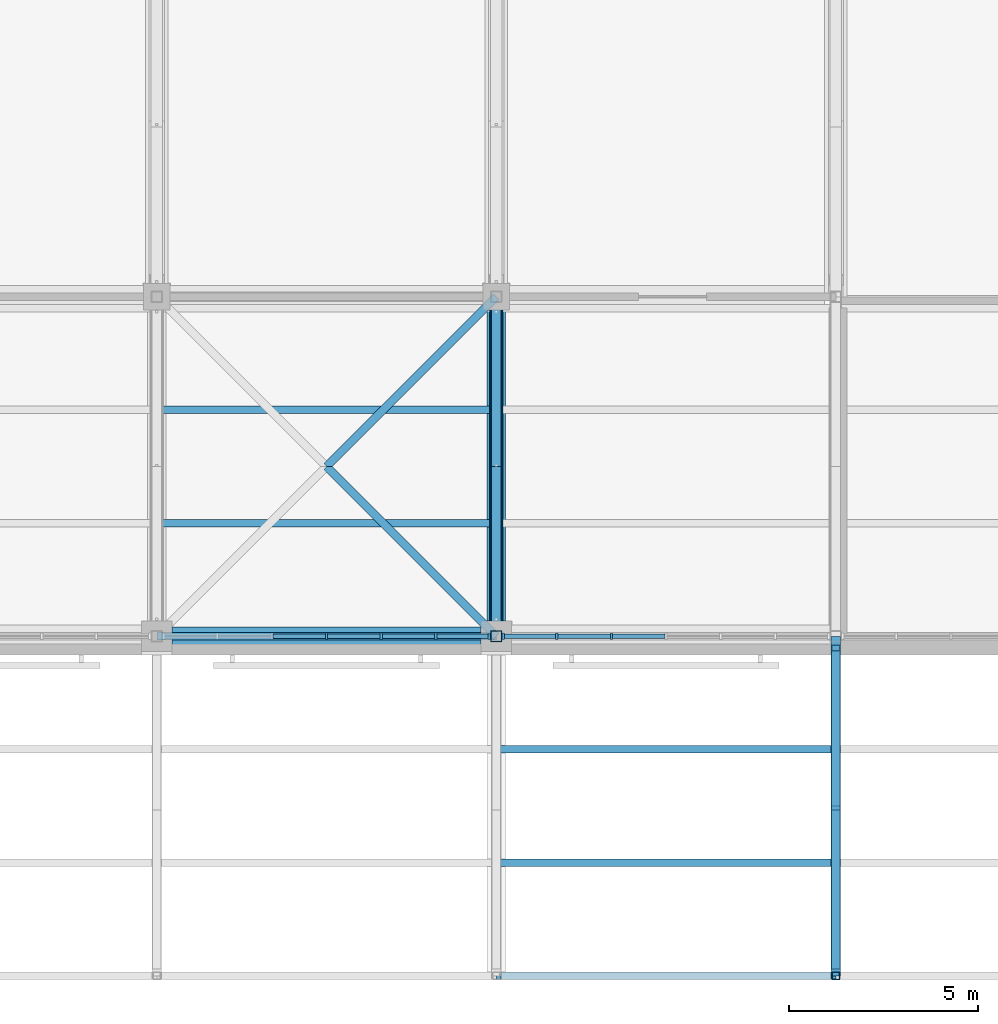
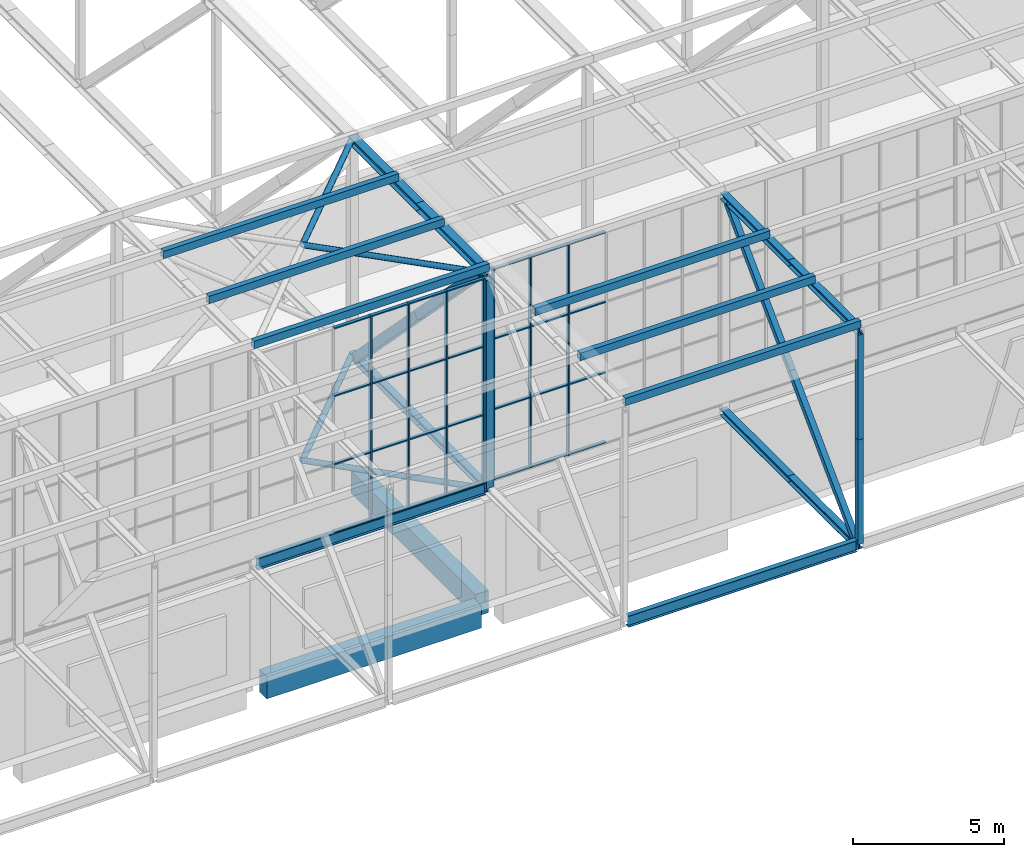
# One storey, part 34 of 646: 61 members, 4 beams, 2 elements without a shape of their own.
"""IFC4 building model written with IfcOpenShell, lengths in metres."""

from ifc_helpers import new_model, si_unit, direction, frame, origin, origin_2d, place, context, subcontext, project, spatial, rectangle, hollow_rectangle, hollow_circle, i_section, extrude, material, material_profile, profile_set, type_object, element, aggregate, save


model = new_model("IFC4")

# Units and contexts
model_context = context("Model", 3, precision=1e-05, world=origin(), true_north=direction((0.0, 1.0)))
body_context = subcontext(model_context, "Body", "Model", "MODEL_VIEW")
ifc_project = project(units=[si_unit("LENGTHUNIT", "METRE"), si_unit("AREAUNIT", "SQUARE_METRE"), si_unit("VOLUMEUNIT", "CUBIC_METRE"), si_unit("PLANEANGLEUNIT", "RADIAN"), si_unit("MASSUNIT", "GRAM", prefix="KILO")], contexts=[model_context])

# Site, building, storey
site_placement = place(None, origin())
site = spatial("IfcSite", under=ifc_project, at=site_placement, CompositionType="ELEMENT")
building_placement = place(site_placement, origin())
building = spatial("IfcBuilding", under=site, at=building_placement, Name="Silverbay Arena", CompositionType="ELEMENT")
storey_placement = place(building_placement, frame((0.0, 0.0, 33.5)))
storey = spatial("IfcBuildingStorey", under=building, at=storey_placement, Name="L05", CompositionType="ELEMENT", Elevation=33.5)

# Members
ifc_material_1 = material(Name="Steel S355", Category="steel")
ifc_material_profile_1 = material_profile(ifc_material_1, i_section(OverallWidth=0.2587890625, OverallDepth=0.2666015625, WebThickness=0.0126953125, FlangeThickness=0.0205078125, at=origin_2d()), Name="UC 254x254x107")
ifc_profile_set_1 = profile_set([ifc_material_profile_1], Name="Steel S355")
member_type_1 = type_object("IfcMemberType", Name="Main-span bottom chord UC 254x254x107", PredefinedType="CHORD", material=ifc_profile_set_1)
for number, where, z_axis, x_axis, name in (
    (1, (135.0, 18.0, 4.13330078125), (0.0, 1.0, 0.0), (-1.0, 0.0, 0.0), "ROOF TRUSS 16 bottom chord 02a"),
    (2, (135.0, 22.5, 4.13330078125), (0.0, 1.0, 0.0), (-1.0, 0.0, 0.0), "ROOF TRUSS 16 bottom chord 02b"),
    (3, (144.0, 9.0, 4.13330078125), (0.0, 1.0, 0.0), (-1.0, 0.0, 0.0), "ROOF TRUSS 17 bottom chord 01a"),
    (4, (144.0, 13.5, 4.13330078125), (0.0, 1.0, 0.0), (-1.0, 0.0, 0.0), "ROOF TRUSS 17 bottom chord 01b"),
):
    element("IfcMember", number, at=place(storey_placement, frame(where, z_axis=z_axis, x_axis=x_axis)), inside=storey, type_object=member_type_1, Name=name, PredefinedType="CHORD", context=body_context, shape_type="SweptSolid", body=[
        extrude(i_section(OverallWidth=0.2587890625, OverallDepth=0.2666015625, WebThickness=0.0126953125, FlangeThickness=0.0205078125, at=origin_2d()), origin(), (0.0, 0.0, 1.0), 4.5),
    ])
ifc_material_2 = material(Name="Steel S355", Category="steel")
ifc_material_profile_2 = material_profile(ifc_material_2, i_section(OverallWidth=0.2587890625, OverallDepth=0.2666015625, WebThickness=0.0126953125, FlangeThickness=0.0205078125, at=origin_2d()), Name="UC 254x254x107")
ifc_profile_set_2 = profile_set([ifc_material_profile_2], Name="Steel S355")
member_type_2 = type_object("IfcMemberType", Name="Main-span top chord UC 254x254x107", PredefinedType="CHORD", material=ifc_profile_set_2)
for number, where, z_axis, x_axis, name in (
    (5, (144.0, 9.0, 12.86669921875), (0.0, 1.0, 0.0), (-1.0, 0.0, 0.0), "ROOF TRUSS 17 top chord 01a"),
    (6, (144.0, 13.5, 12.86669921875), (0.0, 1.0, 0.0), (-1.0, 0.0, 0.0), "ROOF TRUSS 17 top chord 01b"),
):
    element("IfcMember", number, at=place(storey_placement, frame(where, z_axis=z_axis, x_axis=x_axis)), inside=storey, type_object=member_type_2, Name=name, PredefinedType="CHORD", context=body_context, shape_type="SweptSolid", body=[
        extrude(i_section(OverallWidth=0.2587890625, OverallDepth=0.2666015625, WebThickness=0.0126953125, FlangeThickness=0.0205078125, at=origin_2d()), origin(), (0.0, 0.0, 1.0), 4.5),
    ])
ifc_material_3 = material(Name="Steel S355", Category="steel")
ifc_material_profile_3 = material_profile(ifc_material_3, i_section(OverallWidth=0.307373046875, OverallDepth=0.314453125, WebThickness=0.011962890625, FlangeThickness=0.018798828125, at=origin_2d()), Name="UC 305x305x118")
ifc_profile_set_3 = profile_set([ifc_material_profile_3], Name="Steel S355")
member_type_3 = type_object("IfcMemberType", Name="Main-span top chord UC 305x305x118", PredefinedType="CHORD", material=ifc_profile_set_3)
for number, where, z_axis, x_axis, name in (
    (7, (135.0, 18.0, 12.8427734375), (0.0, 1.0, 0.0), (-1.0, 0.0, 0.0), "ROOF TRUSS 16 top chord 02a"),
    (8, (135.0, 22.5, 12.8427734375), (0.0, 1.0, 0.0), (-1.0, 0.0, 0.0), "ROOF TRUSS 16 top chord 02b"),
):
    element("IfcMember", number, at=place(storey_placement, frame(where, z_axis=z_axis, x_axis=x_axis)), inside=storey, type_object=member_type_3, Name=name, PredefinedType="CHORD", context=body_context, shape_type="SweptSolid", body=[
        extrude(i_section(OverallWidth=0.307373046875, OverallDepth=0.314453125, WebThickness=0.011962890625, FlangeThickness=0.018798828125, at=origin_2d()), origin(), (0.0, 0.0, 1.0), 4.5),
    ])
ifc_material_4 = material(Name="Steel S355", Category="steel")
ifc_material_profile_4 = material_profile(ifc_material_4, hollow_rectangle(XDim=0.219970703125, YDim=0.219970703125, WallThickness=0.008056640625, at=origin_2d()), Name="SHS 220x220x8")
ifc_profile_set_4 = profile_set([ifc_material_profile_4], Name="Steel S355")
member_type_4 = type_object("IfcMemberType", Name="Main-span truss diagonal SHS 220x220x8", PredefinedType="BRACE", material=ifc_profile_set_4)
member_1_placement = place(storey_placement, frame((144.0, 17.689453125, 12.7333984375), z_axis=(0.0, -0.70551102507, -0.708698944196), x_axis=(1.0, 0.0, 0.0)))
element("IfcMember", 9, at=member_1_placement, inside=storey, type_object=member_type_4, Name="ROOF TRUSS 17 diagonal 01a", PredefinedType="BRACE", context=body_context, shape_type="SweptSolid", body=[
    extrude(hollow_rectangle(XDim=0.219970703125, YDim=0.219970703125, WallThickness=0.008056640625, at=origin_2d()), origin(), (0.0, 0.0, 1.0), 5.973388671875),
])
member_2_placement = place(storey_placement, frame((144.0, 13.47509765625, 8.5), z_axis=(0.0, -0.705531551692, -0.708678509317), x_axis=(1.0, 0.0, 0.0)))
element("IfcMember", 10, at=member_2_placement, inside=storey, type_object=member_type_4, Name="ROOF TRUSS 17 diagonal 01b", PredefinedType="BRACE", context=body_context, shape_type="SweptSolid", body=[
    extrude(hollow_rectangle(XDim=0.219970703125, YDim=0.219970703125, WallThickness=0.008056640625, at=origin_2d()), origin(), (0.0, 0.0, 1.0), 5.9736328125),
])
ifc_material_5 = material(Name="Steel S355", Category="steel")
ifc_material_profile_5 = material_profile(ifc_material_5, hollow_rectangle(XDim=0.35009765625, YDim=0.35009765625, WallThickness=0.01611328125, at=origin_2d()), Name="SHS 350x350x16")
ifc_profile_set_5 = profile_set([ifc_material_profile_5], Name="Steel S355")
member_type_5 = type_object("IfcMemberType", Name="Main-span truss diagonal SHS 350x350x16", PredefinedType="BRACE", material=ifc_profile_set_5)
for number, where, z_axis, x_axis, name in (
    (11, (135.0, 18.40625, 12.685546875), (0.0, 0.697184071327, -0.716892161129), (-1.0, 0.0, 0.0), "ROOF TRUSS 16 diagonal 02a"),
    (12, (135.0, 22.5, 8.47607421875), (0.0, 0.697184071327, -0.716892161129), (-1.0, 0.0, 0.0), "ROOF TRUSS 16 diagonal 02b"),
):
    element("IfcMember", number, at=place(storey_placement, frame(where, z_axis=z_axis, x_axis=x_axis)), inside=storey, type_object=member_type_5, Name=name, PredefinedType="BRACE", context=body_context, shape_type="SweptSolid", body=[
        extrude(hollow_rectangle(XDim=0.35009765625, YDim=0.35009765625, WallThickness=0.01611328125, at=origin_2d()), origin(), (0.0, 0.0, 1.0), 5.871826171875),
    ])
ifc_material_6 = material(Name="Steel S355", Category="steel")
ifc_material_profile_6 = material_profile(ifc_material_6, hollow_rectangle(XDim=0.199951171875, YDim=0.199951171875, WallThickness=0.008056640625, at=origin_2d()), Name="SHS 200x200x8")
ifc_profile_set_6 = profile_set([ifc_material_profile_6], Name="Steel S355")
member_type_6 = type_object("IfcMemberType", Name="Main-span truss vertical SHS 200x200x8", PredefinedType="STRUT", material=ifc_profile_set_6)
for number, where, z_axis, x_axis, name in (
    (13, (144.0, 9.0, 4.2666015625), (0.0, 0.0, 1.0), (1.0, 0.0, 0.0), "ROOF TRUSS 17 vertical 01a"),
    (14, (144.0, 9.0, 8.5), (0.0, 0.0, 1.0), (1.0, 0.0, 0.0), "ROOF TRUSS 17 vertical 01b"),
):
    element("IfcMember", number, at=place(storey_placement, frame(where, z_axis=z_axis, x_axis=x_axis)), inside=storey, type_object=member_type_6, Name=name, PredefinedType="STRUT", context=body_context, shape_type="SweptSolid", body=[
        extrude(hollow_rectangle(XDim=0.199951171875, YDim=0.199951171875, WallThickness=0.008056640625, at=origin_2d()), origin(), (0.0, 0.0, 1.0), 4.2333984375),
    ])
ifc_material_7 = material(Name="Steel S355", Category="steel")
ifc_material_profile_7 = material_profile(ifc_material_7, hollow_rectangle(XDim=0.300048828125, YDim=0.300048828125, WallThickness=0.012451171875, at=origin_2d()), Name="SHS 300x300x12.5")
ifc_profile_set_7 = profile_set([ifc_material_profile_7], Name="Steel S355")
member_type_7 = type_object("IfcMemberType", Name="Main-span truss vertical SHS 300x300x12.5", PredefinedType="STRUT", material=ifc_profile_set_7)
for number, where, z_axis, x_axis, name in (
    (15, (135.0, 18.0, 4.2666015625), (0.0, 0.0, 1.0), (1.0, 0.0, 0.0), "ROOF TRUSS 16 vertical 02a"),
    (16, (135.0, 18.0, 8.47607421875), (0.0, 0.0, 1.0), (1.0, 0.0, 0.0), "ROOF TRUSS 16 vertical 02b"),
):
    element("IfcMember", number, at=place(storey_placement, frame(where, z_axis=z_axis, x_axis=x_axis)), inside=storey, type_object=member_type_7, Name=name, PredefinedType="STRUT", context=body_context, shape_type="SweptSolid", body=[
        extrude(hollow_rectangle(XDim=0.300048828125, YDim=0.300048828125, WallThickness=0.012451171875, at=origin_2d()), origin(), (0.0, 0.0, 1.0), 4.20947265625),
    ])

# Curtain wall, members
ifc_material_8 = material(Name="Aluminium framed glazing", Category="aluminium")
curtain_wall_type_1 = type_object("IfcCurtainWallType", Name="Curtain wall clerestory 8693 x 8273", PredefinedType="NOTDEFINED", material=ifc_material_8)
curtain_wall_1_placement = place(storey_placement, origin())
curtain_wall_1 = element("IfcCurtainWall", 17, at=curtain_wall_1_placement, inside=storey, type_object=curtain_wall_type_1, Name="ROOF CLERESTORY CURTAIN WALL south bay 09", PredefinedType="NOTDEFINED")
ifc_material_9 = material(Name="Aluminium", Category="aluminium")
ifc_material_profile_8 = material_profile(ifc_material_9, rectangle(XDim=0.159912109375, YDim=0.06005859375, at=origin_2d()), Name="Mullion 60 x 160")
ifc_profile_set_8 = profile_set([ifc_material_profile_8], Name="Aluminium")
member_type_8 = type_object("IfcMemberType", Name="Mullion 60 x 160", PredefinedType="MULLION", material=ifc_profile_set_8)
member_3_placement = place(storey_placement, frame((130.5, 18.0, 4.4599609375), z_axis=(0.0, 0.0, 1.0), x_axis=(0.0, 1.0, 0.0)))
member_3 = element("IfcMember", 18, at=member_3_placement, type_object=member_type_8, Name="CW56 mullion 4", PredefinedType="MULLION", context=body_context, shape_type="SweptSolid", body=[
    extrude(rectangle(XDim=0.159912109375, YDim=0.06005859375, at=origin_2d()), origin(), (0.0, 0.0, 1.0), 8.273193359375),
])
member_4_placement = place(storey_placement, frame((131.94873046875, 18.0, 4.4599609375), z_axis=(0.0, 0.0, 1.0), x_axis=(0.0, 1.0, 0.0)))
member_4 = element("IfcMember", 19, at=member_4_placement, type_object=member_type_8, Name="CW56 mullion 5", PredefinedType="MULLION", context=body_context, shape_type="SweptSolid", body=[
    extrude(rectangle(XDim=0.159912109375, YDim=0.06005859375, at=origin_2d()), origin(), (0.0, 0.0, 1.0), 8.273193359375),
])
member_5_placement = place(storey_placement, frame((133.3974609375, 18.0, 4.4599609375), z_axis=(0.0, 0.0, 1.0), x_axis=(0.0, 1.0, 0.0)))
member_5 = element("IfcMember", 20, at=member_5_placement, type_object=member_type_8, Name="CW56 mullion 6", PredefinedType="MULLION", context=body_context, shape_type="SweptSolid", body=[
    extrude(rectangle(XDim=0.159912109375, YDim=0.06005859375, at=origin_2d()), origin(), (0.0, 0.0, 1.0), 8.273193359375),
])
member_6_placement = place(storey_placement, frame((134.81640625, 18.0, 4.4599609375), z_axis=(0.0, 0.0, 1.0), x_axis=(0.0, 1.0, 0.0)))
member_6 = element("IfcMember", 21, at=member_6_placement, type_object=member_type_8, Name="CW56 mullion 7", PredefinedType="MULLION", context=body_context, shape_type="SweptSolid", body=[
    extrude(rectangle(XDim=0.159912109375, YDim=0.06005859375, at=origin_2d()), origin(), (0.0, 0.0, 1.0), 8.273193359375),
])

ifc_material_10 = material(Name="Aluminium framed glazing", Category="aluminium")
curtain_wall_type_2 = type_object("IfcCurtainWallType", Name="Curtain wall clerestory 8693 x 8540", PredefinedType="NOTDEFINED", material=ifc_material_10)
curtain_wall_2_placement = place(storey_placement, origin())
curtain_wall_2 = element("IfcCurtainWall", 22, at=curtain_wall_2_placement, inside=storey, type_object=curtain_wall_type_2, Name="ROOF CLERESTORY CURTAIN WALL south bay 10", PredefinedType="NOTDEFINED")
member_7_placement = place(storey_placement, frame((135.18359375, 18.0, 4.4599609375), z_axis=(0.0, 0.0, 1.0), x_axis=(0.0, 1.0, 0.0)))
member_7 = element("IfcMember", 23, at=member_7_placement, type_object=member_type_8, Name="CW55 mullion 1", PredefinedType="MULLION", context=body_context, shape_type="SweptSolid", body=[
    extrude(rectangle(XDim=0.159912109375, YDim=0.06005859375, at=origin_2d()), origin(), (0.0, 0.0, 1.0), 8.5400390625),
])
member_8_placement = place(storey_placement, frame((136.6025390625, 18.0, 4.4599609375), z_axis=(0.0, 0.0, 1.0), x_axis=(0.0, 1.0, 0.0)))
member_8 = element("IfcMember", 24, at=member_8_placement, type_object=member_type_8, Name="CW55 mullion 2", PredefinedType="MULLION", context=body_context, shape_type="SweptSolid", body=[
    extrude(rectangle(XDim=0.159912109375, YDim=0.06005859375, at=origin_2d()), origin(), (0.0, 0.0, 1.0), 8.5400390625),
])
member_9_placement = place(storey_placement, frame((138.05126953125, 18.0, 4.4599609375), z_axis=(0.0, 0.0, 1.0), x_axis=(0.0, 1.0, 0.0)))
member_9 = element("IfcMember", 25, at=member_9_placement, type_object=member_type_8, Name="CW55 mullion 3", PredefinedType="MULLION", context=body_context, shape_type="SweptSolid", body=[
    extrude(rectangle(XDim=0.159912109375, YDim=0.06005859375, at=origin_2d()), origin(), (0.0, 0.0, 1.0), 8.5400390625),
])

# Members
ifc_material_11 = material(Name="Steel S355", Category="steel")
ifc_material_profile_9 = material_profile(ifc_material_11, hollow_circle(Radius=0.109619140625, WallThickness=0.00634765625, at=origin_2d()), Name="CHS 219.1x6.3")
ifc_profile_set_9 = profile_set([ifc_material_profile_9], Name="Steel S355")
member_type_9 = type_object("IfcMemberType", Name="Plan bracing CHS 219.1x6.3", PredefinedType="BRACE", material=ifc_profile_set_9)
for number, where, z_axis, x_axis, name in (
    (26, (130.5, 22.5, 12.8427734375), (0.707106781187, 0.707106781187, 0.0), (-0.707106781187, 0.707106781187, 0.0), "ROOF BRACING top 15-16 panel 02 Ab"),
    (27, (130.5, 22.5, 12.8427734375), (0.707106781187, -0.707106781187, 0.0), (0.707106781187, 0.707106781187, 0.0), "ROOF BRACING top 15-16 panel 02 Bb"),
    (28, (130.5, 22.5, 4.13330078125), (0.707106781187, 0.707106781187, 0.0), (-0.707106781187, 0.707106781187, 0.0), "ROOF BRACING bottom 15-16 panel 02 Ab"),
    (29, (130.5, 22.5, 4.13330078125), (0.707106781187, -0.707106781187, 0.0), (0.707106781187, 0.707106781187, 0.0), "ROOF BRACING bottom 15-16 panel 02 Bb"),
):
    element("IfcMember", number, at=place(storey_placement, frame(where, z_axis=z_axis, x_axis=x_axis)), inside=storey, type_object=member_type_9, Name=name, PredefinedType="BRACE", context=body_context, shape_type="SweptSolid", body=[
        extrude(hollow_circle(Radius=0.109619140625, WallThickness=0.00634765625, at=origin_2d()), origin(), (0.0, 0.0, 1.0), 6.364013671875),
    ])
ifc_material_12 = material(Name="Steel S355", Category="steel")
ifc_material_profile_10 = material_profile(ifc_material_12, hollow_rectangle(XDim=0.199951171875, YDim=0.300048828125, WallThickness=0.00634765625, at=origin_2d()), Name="RHS 300x200x6.3")
ifc_profile_set_10 = profile_set([ifc_material_profile_10], Name="Steel S355")
member_type_10 = type_object("IfcMemberType", Name="Purlin RHS 300x200x6.3", PredefinedType="PURLIN", material=ifc_profile_set_10)
member_10_placement = place(storey_placement, frame((126.0, 24.0, 13.14990234375), z_axis=(1.0, 0.0, 0.0), x_axis=(0.0, 1.0, 0.0)))
element("IfcMember", 30, at=member_10_placement, inside=storey, type_object=member_type_10, Name="ROOF PURLIN 15-16 line 06", PredefinedType="PURLIN", context=body_context, shape_type="SweptSolid", body=[
    extrude(hollow_rectangle(XDim=0.199951171875, YDim=0.300048828125, WallThickness=0.00634765625, at=origin_2d()), origin(), (0.0, 0.0, 1.0), 9.0),
])
ifc_material_13 = material(Name="Steel S355", Category="steel")
ifc_material_profile_11 = material_profile(ifc_material_13, hollow_rectangle(XDim=0.199951171875, YDim=0.300048828125, WallThickness=0.008056640625, at=origin_2d()), Name="RHS 300x200x8")
ifc_profile_set_11 = profile_set([ifc_material_profile_11], Name="Steel S355")
member_type_11 = type_object("IfcMemberType", Name="Purlin RHS 300x200x8", PredefinedType="PURLIN", material=ifc_profile_set_11)
for number, where, z_axis, x_axis, name in (
    (31, (126.0, 18.0, 13.14990234375), (1.0, 0.0, 0.0), (0.0, 1.0, 0.0), "ROOF PURLIN 15-16 line 04"),
    (32, (126.0, 21.0, 13.14990234375), (1.0, 0.0, 0.0), (0.0, 1.0, 0.0), "ROOF PURLIN 15-16 line 05"),
    (33, (135.0, 9.0, 13.14990234375), (1.0, 0.0, 0.0), (0.0, 1.0, 0.0), "ROOF PURLIN 16-17 line 01"),
    (34, (135.0, 12.0, 13.14990234375), (1.0, 0.0, 0.0), (0.0, 1.0, 0.0), "ROOF PURLIN 16-17 line 02"),
    (35, (135.0, 15.0, 13.14990234375), (1.0, 0.0, 0.0), (0.0, 1.0, 0.0), "ROOF PURLIN 16-17 line 03"),
):
    element("IfcMember", number, at=place(storey_placement, frame(where, z_axis=z_axis, x_axis=x_axis)), inside=storey, type_object=member_type_11, Name=name, PredefinedType="PURLIN", context=body_context, shape_type="SweptSolid", body=[
        extrude(hollow_rectangle(XDim=0.199951171875, YDim=0.300048828125, WallThickness=0.008056640625, at=origin_2d()), origin(), (0.0, 0.0, 1.0), 9.0),
    ])

# Beams
ifc_material_14 = material(Name="Concrete Grade C45", Category="concrete")
ifc_material_profile_12 = material_profile(ifc_material_14, rectangle(XDim=0.5, YDim=0.89990234375, at=origin_2d()), Name="RC 500x900")
ifc_profile_set_12 = profile_set([ifc_material_profile_12], Name="Concrete Grade C45")
beam_type_1 = type_object("IfcBeamType", Name="RC beam 500x900", PredefinedType="BEAM", material=ifc_profile_set_12)
beam_1_placement = place(storey_placement, frame((126.39990234375, 18.0, -0.75), z_axis=(1.0, 0.0, 0.0), x_axis=(0.0, 1.0, 0.0)))
element("IfcBeam", 36, at=beam_1_placement, inside=storey, type_object=beam_type_1, Name="Floor beam L05 003", PredefinedType="BEAM", context=body_context, shape_type="SweptSolid", body=[
    extrude(rectangle(XDim=0.5, YDim=0.89990234375, at=origin_2d()), origin(), (0.0, 0.0, 1.0), 8.2001953125),
])
beam_2_placement = place(storey_placement, frame((135.0, 18.39990234375, -0.75), z_axis=(0.0, 1.0, 0.0), x_axis=(-1.0, 0.0, 0.0)))
element("IfcBeam", 37, at=beam_2_placement, inside=storey, type_object=beam_type_1, Name="Floor beam L05 113", PredefinedType="BEAM", context=body_context, shape_type="SweptSolid", body=[
    extrude(rectangle(XDim=0.5, YDim=0.89990234375, at=origin_2d()), origin(), (0.0, 0.0, 1.0), 8.25),
])
ifc_material_15 = material(Name="Steel S355", Category="steel")
ifc_material_profile_13 = material_profile(ifc_material_15, i_section(OverallWidth=0.18994140625, OverallDepth=0.453369140625, WebThickness=0.008544921875, FlangeThickness=0.0126953125, at=origin_2d()), Name="UB 457x191x67")
ifc_profile_set_13 = profile_set([ifc_material_profile_13], Name="Steel S355")
beam_type_2 = type_object("IfcBeamType", Name="Ring beam UB 457x191x67", PredefinedType="BEAM", material=ifc_profile_set_13)
beam_3_placement = place(storey_placement, frame((135.12939453125, 9.0, 4.226806640625), z_axis=(1.0, 0.0, 0.0), x_axis=(0.0, 1.0, 0.0)))
element("IfcBeam", 38, at=beam_3_placement, inside=storey, type_object=beam_type_2, Name="RING BEAM south edge 16-17", PredefinedType="BEAM", context=body_context, shape_type="SweptSolid", body=[
    extrude(i_section(OverallWidth=0.18994140625, OverallDepth=0.453369140625, WebThickness=0.008544921875, FlangeThickness=0.0126953125, at=origin_2d()), origin(), (0.0, 0.0, 1.0), 8.7412109375),
])
ifc_material_16 = material(Name="Steel S355", Category="steel")
ifc_material_profile_14 = material_profile(ifc_material_16, i_section(OverallWidth=0.19140625, OverallDepth=0.4599609375, WebThickness=0.010009765625, FlangeThickness=0.01611328125, at=origin_2d()), Name="UB 457x191x82")
ifc_profile_set_14 = profile_set([ifc_material_profile_14], Name="Steel S355")
beam_type_3 = type_object("IfcBeamType", Name="Ring beam UB 457x191x82", PredefinedType="BEAM", material=ifc_profile_set_14)
beam_4_placement = place(storey_placement, frame((126.12939453125, 18.0, 4.22998046875), z_axis=(1.0, 0.0, 0.0), x_axis=(0.0, 1.0, 0.0)))
element("IfcBeam", 39, at=beam_4_placement, inside=storey, type_object=beam_type_3, Name="RING BEAM south facade 15-16", PredefinedType="BEAM", context=body_context, shape_type="SweptSolid", body=[
    extrude(i_section(OverallWidth=0.19140625, OverallDepth=0.4599609375, WebThickness=0.010009765625, FlangeThickness=0.01611328125, at=origin_2d()), origin(), (0.0, 0.0, 1.0), 8.7412109375),
])

# Member
ifc_material_17 = material(Name="Aluminium", Category="aluminium")
ifc_material_profile_15 = material_profile(ifc_material_17, rectangle(XDim=0.1201171875, YDim=0.050048828125, at=origin_2d()), Name="Transom 50 x 120")
ifc_profile_set_15 = profile_set([ifc_material_profile_15], Name="Aluminium")
member_type_12 = type_object("IfcMemberType", Name="Transom 50 x 120", PredefinedType="USERDEFINED", material=ifc_profile_set_15)
member_11_placement = place(storey_placement, frame((129.081298828125, 18.0, 4.485107421875), z_axis=(1.0, 0.0, 0.0), x_axis=(0.0, 1.0, 0.0)))
member_11 = element("IfcMember", 40, at=member_11_placement, type_object=member_type_12, Name="CW56 transom 3.1", ObjectType="TRANSOM", PredefinedType="USERDEFINED", context=body_context, shape_type="SweptSolid", body=[
    extrude(rectangle(XDim=0.1201171875, YDim=0.050048828125, at=origin_2d()), origin(), (0.0, 0.0, 1.0), 1.388671875),
])

member_12_placement = place(storey_placement, frame((129.081298828125, 18.0, 7.2177734375), z_axis=(1.0, 0.0, 0.0), x_axis=(0.0, 1.0, 0.0)))
member_12 = element("IfcMember", 41, at=member_12_placement, type_object=member_type_12, Name="CW56 transom 3.2", ObjectType="TRANSOM", PredefinedType="USERDEFINED", context=body_context, shape_type="SweptSolid", body=[
    extrude(rectangle(XDim=0.1201171875, YDim=0.050048828125, at=origin_2d()), origin(), (0.0, 0.0, 1.0), 1.388671875),
])

member_13_placement = place(storey_placement, frame((129.081298828125, 18.0, 9.9755859375), z_axis=(1.0, 0.0, 0.0), x_axis=(0.0, 1.0, 0.0)))
member_13 = element("IfcMember", 42, at=member_13_placement, type_object=member_type_12, Name="CW56 transom 3.3", ObjectType="TRANSOM", PredefinedType="USERDEFINED", context=body_context, shape_type="SweptSolid", body=[
    extrude(rectangle(XDim=0.1201171875, YDim=0.050048828125, at=origin_2d()), origin(), (0.0, 0.0, 1.0), 1.388671875),
])

member_14_placement = place(storey_placement, frame((129.081298828125, 18.0, 12.708251953125), z_axis=(1.0, 0.0, 0.0), x_axis=(0.0, 1.0, 0.0)))
member_14 = element("IfcMember", 43, at=member_14_placement, type_object=member_type_12, Name="CW56 transom 3.4", ObjectType="TRANSOM", PredefinedType="USERDEFINED", context=body_context, shape_type="SweptSolid", body=[
    extrude(rectangle(XDim=0.1201171875, YDim=0.050048828125, at=origin_2d()), origin(), (0.0, 0.0, 1.0), 1.388671875),
])

member_15_placement = place(storey_placement, frame((130.530029296875, 18.0, 4.485107421875), z_axis=(1.0, 0.0, 0.0), x_axis=(0.0, 1.0, 0.0)))
member_15 = element("IfcMember", 44, at=member_15_placement, type_object=member_type_12, Name="CW56 transom 4.1", ObjectType="TRANSOM", PredefinedType="USERDEFINED", context=body_context, shape_type="SweptSolid", body=[
    extrude(rectangle(XDim=0.1201171875, YDim=0.050048828125, at=origin_2d()), origin(), (0.0, 0.0, 1.0), 1.388671875),
])

member_16_placement = place(storey_placement, frame((130.530029296875, 18.0, 7.2177734375), z_axis=(1.0, 0.0, 0.0), x_axis=(0.0, 1.0, 0.0)))
member_16 = element("IfcMember", 45, at=member_16_placement, type_object=member_type_12, Name="CW56 transom 4.2", ObjectType="TRANSOM", PredefinedType="USERDEFINED", context=body_context, shape_type="SweptSolid", body=[
    extrude(rectangle(XDim=0.1201171875, YDim=0.050048828125, at=origin_2d()), origin(), (0.0, 0.0, 1.0), 1.388671875),
])

member_17_placement = place(storey_placement, frame((130.530029296875, 18.0, 9.9755859375), z_axis=(1.0, 0.0, 0.0), x_axis=(0.0, 1.0, 0.0)))
member_17 = element("IfcMember", 46, at=member_17_placement, type_object=member_type_12, Name="CW56 transom 4.3", ObjectType="TRANSOM", PredefinedType="USERDEFINED", context=body_context, shape_type="SweptSolid", body=[
    extrude(rectangle(XDim=0.1201171875, YDim=0.050048828125, at=origin_2d()), origin(), (0.0, 0.0, 1.0), 1.388671875),
])

member_18_placement = place(storey_placement, frame((130.530029296875, 18.0, 12.708251953125), z_axis=(1.0, 0.0, 0.0), x_axis=(0.0, 1.0, 0.0)))
member_18 = element("IfcMember", 47, at=member_18_placement, type_object=member_type_12, Name="CW56 transom 4.4", ObjectType="TRANSOM", PredefinedType="USERDEFINED", context=body_context, shape_type="SweptSolid", body=[
    extrude(rectangle(XDim=0.1201171875, YDim=0.050048828125, at=origin_2d()), origin(), (0.0, 0.0, 1.0), 1.388671875),
])

member_19_placement = place(storey_placement, frame((131.978759765625, 18.0, 4.485107421875), z_axis=(1.0, 0.0, 0.0), x_axis=(0.0, 1.0, 0.0)))
member_19 = element("IfcMember", 48, at=member_19_placement, type_object=member_type_12, Name="CW56 transom 5.1", ObjectType="TRANSOM", PredefinedType="USERDEFINED", context=body_context, shape_type="SweptSolid", body=[
    extrude(rectangle(XDim=0.1201171875, YDim=0.050048828125, at=origin_2d()), origin(), (0.0, 0.0, 1.0), 1.388671875),
])

member_20_placement = place(storey_placement, frame((131.978759765625, 18.0, 7.2177734375), z_axis=(1.0, 0.0, 0.0), x_axis=(0.0, 1.0, 0.0)))
member_20 = element("IfcMember", 49, at=member_20_placement, type_object=member_type_12, Name="CW56 transom 5.2", ObjectType="TRANSOM", PredefinedType="USERDEFINED", context=body_context, shape_type="SweptSolid", body=[
    extrude(rectangle(XDim=0.1201171875, YDim=0.050048828125, at=origin_2d()), origin(), (0.0, 0.0, 1.0), 1.388671875),
])

member_21_placement = place(storey_placement, frame((131.978759765625, 18.0, 9.9755859375), z_axis=(1.0, 0.0, 0.0), x_axis=(0.0, 1.0, 0.0)))
member_21 = element("IfcMember", 50, at=member_21_placement, type_object=member_type_12, Name="CW56 transom 5.3", ObjectType="TRANSOM", PredefinedType="USERDEFINED", context=body_context, shape_type="SweptSolid", body=[
    extrude(rectangle(XDim=0.1201171875, YDim=0.050048828125, at=origin_2d()), origin(), (0.0, 0.0, 1.0), 1.388671875),
])

member_22_placement = place(storey_placement, frame((131.978759765625, 18.0, 12.708251953125), z_axis=(1.0, 0.0, 0.0), x_axis=(0.0, 1.0, 0.0)))
member_22 = element("IfcMember", 51, at=member_22_placement, type_object=member_type_12, Name="CW56 transom 5.4", ObjectType="TRANSOM", PredefinedType="USERDEFINED", context=body_context, shape_type="SweptSolid", body=[
    extrude(rectangle(XDim=0.1201171875, YDim=0.050048828125, at=origin_2d()), origin(), (0.0, 0.0, 1.0), 1.388671875),
])

member_23_placement = place(storey_placement, frame((133.427490234375, 18.0, 4.485107421875), z_axis=(1.0, 0.0, 0.0), x_axis=(0.0, 1.0, 0.0)))
member_23 = element("IfcMember", 52, at=member_23_placement, type_object=member_type_12, Name="CW56 transom 6.1", ObjectType="TRANSOM", PredefinedType="USERDEFINED", context=body_context, shape_type="SweptSolid", body=[
    extrude(rectangle(XDim=0.1201171875, YDim=0.050048828125, at=origin_2d()), origin(), (0.0, 0.0, 1.0), 1.35888671875),
])

member_24_placement = place(storey_placement, frame((133.427490234375, 18.0, 7.2177734375), z_axis=(1.0, 0.0, 0.0), x_axis=(0.0, 1.0, 0.0)))
member_24 = element("IfcMember", 53, at=member_24_placement, type_object=member_type_12, Name="CW56 transom 6.2", ObjectType="TRANSOM", PredefinedType="USERDEFINED", context=body_context, shape_type="SweptSolid", body=[
    extrude(rectangle(XDim=0.1201171875, YDim=0.050048828125, at=origin_2d()), origin(), (0.0, 0.0, 1.0), 1.35888671875),
])

member_25_placement = place(storey_placement, frame((133.427490234375, 18.0, 9.9755859375), z_axis=(1.0, 0.0, 0.0), x_axis=(0.0, 1.0, 0.0)))
member_25 = element("IfcMember", 54, at=member_25_placement, type_object=member_type_12, Name="CW56 transom 6.3", ObjectType="TRANSOM", PredefinedType="USERDEFINED", context=body_context, shape_type="SweptSolid", body=[
    extrude(rectangle(XDim=0.1201171875, YDim=0.050048828125, at=origin_2d()), origin(), (0.0, 0.0, 1.0), 1.35888671875),
])

member_26_placement = place(storey_placement, frame((133.427490234375, 18.0, 12.708251953125), z_axis=(1.0, 0.0, 0.0), x_axis=(0.0, 1.0, 0.0)))
member_26 = element("IfcMember", 55, at=member_26_placement, type_object=member_type_12, Name="CW56 transom 6.4", ObjectType="TRANSOM", PredefinedType="USERDEFINED", context=body_context, shape_type="SweptSolid", body=[
    extrude(rectangle(XDim=0.1201171875, YDim=0.050048828125, at=origin_2d()), origin(), (0.0, 0.0, 1.0), 1.35888671875),
])

aggregate(curtain_wall_1, [member_3, member_4, member_5, member_6, member_11, member_12, member_13, member_14, member_15, member_16, member_17, member_18, member_19, member_20, member_21, member_22, member_23, member_24, member_25, member_26])

member_27_placement = place(storey_placement, frame((135.213623046875, 18.0, 4.485107421875), z_axis=(1.0, 0.0, 0.0), x_axis=(0.0, 1.0, 0.0)))
member_27 = element("IfcMember", 56, at=member_27_placement, type_object=member_type_12, Name="CW55 transom 1.1", ObjectType="TRANSOM", PredefinedType="USERDEFINED", context=body_context, shape_type="SweptSolid", body=[
    extrude(rectangle(XDim=0.1201171875, YDim=0.050048828125, at=origin_2d()), origin(), (0.0, 0.0, 1.0), 1.35888671875),
])

member_28_placement = place(storey_placement, frame((135.213623046875, 18.0, 7.306640625), z_axis=(1.0, 0.0, 0.0), x_axis=(0.0, 1.0, 0.0)))
member_28 = element("IfcMember", 57, at=member_28_placement, type_object=member_type_12, Name="CW55 transom 1.2", ObjectType="TRANSOM", PredefinedType="USERDEFINED", context=body_context, shape_type="SweptSolid", body=[
    extrude(rectangle(XDim=0.1201171875, YDim=0.050048828125, at=origin_2d()), origin(), (0.0, 0.0, 1.0), 1.35888671875),
])

member_29_placement = place(storey_placement, frame((135.213623046875, 18.0, 10.1533203125), z_axis=(1.0, 0.0, 0.0), x_axis=(0.0, 1.0, 0.0)))
member_29 = element("IfcMember", 58, at=member_29_placement, type_object=member_type_12, Name="CW55 transom 1.3", ObjectType="TRANSOM", PredefinedType="USERDEFINED", context=body_context, shape_type="SweptSolid", body=[
    extrude(rectangle(XDim=0.1201171875, YDim=0.050048828125, at=origin_2d()), origin(), (0.0, 0.0, 1.0), 1.35888671875),
])

member_30_placement = place(storey_placement, frame((135.213623046875, 18.0, 12.97509765625), z_axis=(1.0, 0.0, 0.0), x_axis=(0.0, 1.0, 0.0)))
member_30 = element("IfcMember", 59, at=member_30_placement, type_object=member_type_12, Name="CW55 transom 1.4", ObjectType="TRANSOM", PredefinedType="USERDEFINED", context=body_context, shape_type="SweptSolid", body=[
    extrude(rectangle(XDim=0.1201171875, YDim=0.050048828125, at=origin_2d()), origin(), (0.0, 0.0, 1.0), 1.35888671875),
])

member_31_placement = place(storey_placement, frame((136.632568359375, 18.0, 4.485107421875), z_axis=(1.0, 0.0, 0.0), x_axis=(0.0, 1.0, 0.0)))
member_31 = element("IfcMember", 60, at=member_31_placement, type_object=member_type_12, Name="CW55 transom 2.1", ObjectType="TRANSOM", PredefinedType="USERDEFINED", context=body_context, shape_type="SweptSolid", body=[
    extrude(rectangle(XDim=0.1201171875, YDim=0.050048828125, at=origin_2d()), origin(), (0.0, 0.0, 1.0), 1.388671875),
])

member_32_placement = place(storey_placement, frame((136.632568359375, 18.0, 7.306640625), z_axis=(1.0, 0.0, 0.0), x_axis=(0.0, 1.0, 0.0)))
member_32 = element("IfcMember", 61, at=member_32_placement, type_object=member_type_12, Name="CW55 transom 2.2", ObjectType="TRANSOM", PredefinedType="USERDEFINED", context=body_context, shape_type="SweptSolid", body=[
    extrude(rectangle(XDim=0.1201171875, YDim=0.050048828125, at=origin_2d()), origin(), (0.0, 0.0, 1.0), 1.388671875),
])

member_33_placement = place(storey_placement, frame((136.632568359375, 18.0, 10.1533203125), z_axis=(1.0, 0.0, 0.0), x_axis=(0.0, 1.0, 0.0)))
member_33 = element("IfcMember", 62, at=member_33_placement, type_object=member_type_12, Name="CW55 transom 2.3", ObjectType="TRANSOM", PredefinedType="USERDEFINED", context=body_context, shape_type="SweptSolid", body=[
    extrude(rectangle(XDim=0.1201171875, YDim=0.050048828125, at=origin_2d()), origin(), (0.0, 0.0, 1.0), 1.388671875),
])

member_34_placement = place(storey_placement, frame((136.632568359375, 18.0, 12.97509765625), z_axis=(1.0, 0.0, 0.0), x_axis=(0.0, 1.0, 0.0)))
member_34 = element("IfcMember", 63, at=member_34_placement, type_object=member_type_12, Name="CW55 transom 2.4", ObjectType="TRANSOM", PredefinedType="USERDEFINED", context=body_context, shape_type="SweptSolid", body=[
    extrude(rectangle(XDim=0.1201171875, YDim=0.050048828125, at=origin_2d()), origin(), (0.0, 0.0, 1.0), 1.388671875),
])

member_35_placement = place(storey_placement, frame((138.081298828125, 18.0, 4.485107421875), z_axis=(1.0, 0.0, 0.0), x_axis=(0.0, 1.0, 0.0)))
member_35 = element("IfcMember", 64, at=member_35_placement, type_object=member_type_12, Name="CW55 transom 3.1", ObjectType="TRANSOM", PredefinedType="USERDEFINED", context=body_context, shape_type="SweptSolid", body=[
    extrude(rectangle(XDim=0.1201171875, YDim=0.050048828125, at=origin_2d()), origin(), (0.0, 0.0, 1.0), 1.388671875),
])

member_36_placement = place(storey_placement, frame((138.081298828125, 18.0, 7.306640625), z_axis=(1.0, 0.0, 0.0), x_axis=(0.0, 1.0, 0.0)))
member_36 = element("IfcMember", 65, at=member_36_placement, type_object=member_type_12, Name="CW55 transom 3.2", ObjectType="TRANSOM", PredefinedType="USERDEFINED", context=body_context, shape_type="SweptSolid", body=[
    extrude(rectangle(XDim=0.1201171875, YDim=0.050048828125, at=origin_2d()), origin(), (0.0, 0.0, 1.0), 1.388671875),
])

member_37_placement = place(storey_placement, frame((138.081298828125, 18.0, 10.1533203125), z_axis=(1.0, 0.0, 0.0), x_axis=(0.0, 1.0, 0.0)))
member_37 = element("IfcMember", 66, at=member_37_placement, type_object=member_type_12, Name="CW55 transom 3.3", ObjectType="TRANSOM", PredefinedType="USERDEFINED", context=body_context, shape_type="SweptSolid", body=[
    extrude(rectangle(XDim=0.1201171875, YDim=0.050048828125, at=origin_2d()), origin(), (0.0, 0.0, 1.0), 1.388671875),
])

member_38_placement = place(storey_placement, frame((138.081298828125, 18.0, 12.97509765625), z_axis=(1.0, 0.0, 0.0), x_axis=(0.0, 1.0, 0.0)))
member_38 = element("IfcMember", 67, at=member_38_placement, type_object=member_type_12, Name="CW55 transom 3.4", ObjectType="TRANSOM", PredefinedType="USERDEFINED", context=body_context, shape_type="SweptSolid", body=[
    extrude(rectangle(XDim=0.1201171875, YDim=0.050048828125, at=origin_2d()), origin(), (0.0, 0.0, 1.0), 1.388671875),
])

aggregate(curtain_wall_2, [member_7, member_8, member_9, member_27, member_28, member_29, member_30, member_31, member_32, member_33, member_34, member_35, member_36, member_37, member_38])

save(model, "model.ifc")
